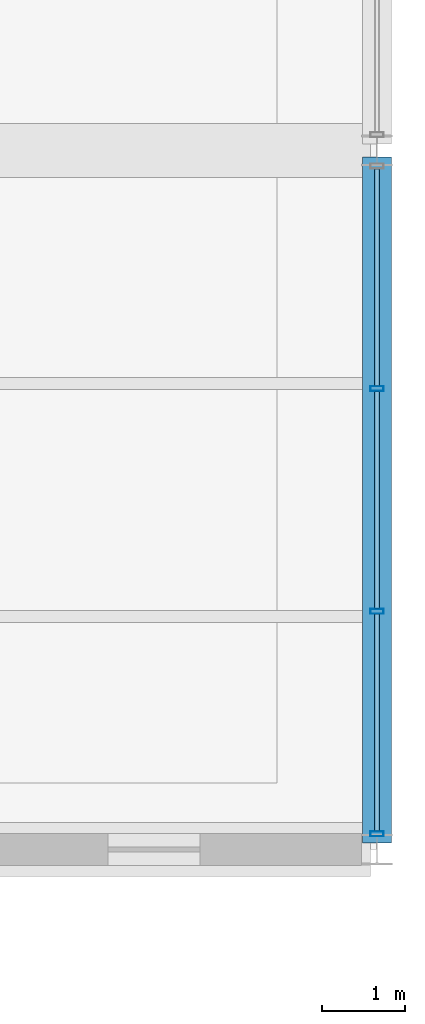
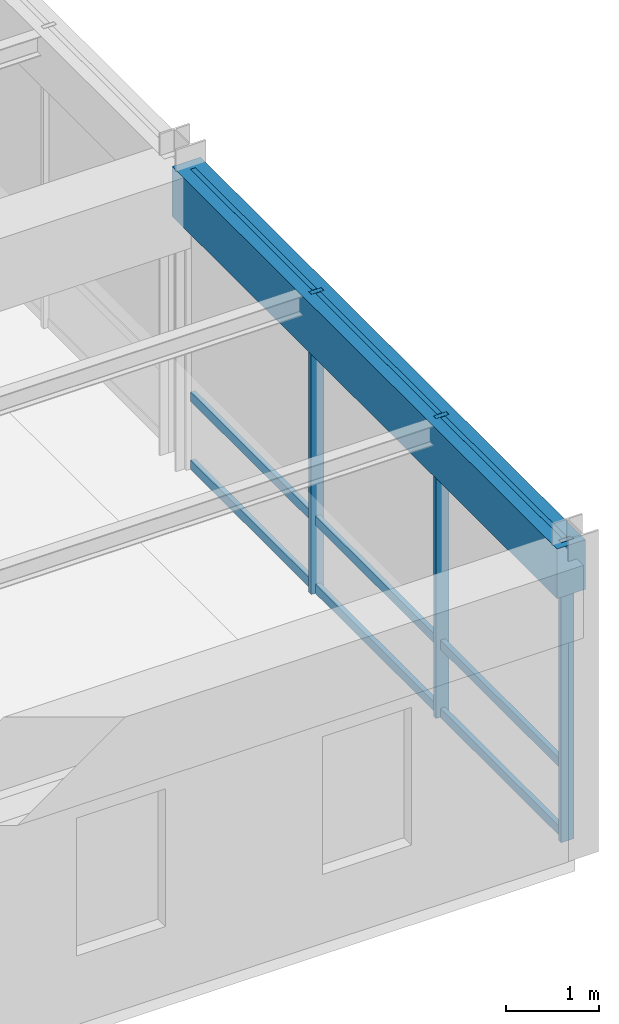
# One storey, part 78 of 138: 12 members, 1 beam, 1 element without a shape of its own.
"""IFC4 building model written with IfcOpenShell, lengths in metres."""

from ifc_helpers import new_model, si_unit, direction, frame, origin, origin_2d, place, context, subcontext, project, spatial, rectangle, hollow_rectangle, extrude, material, material_profile, profile_set, type_object, element, aggregate, save


model = new_model("IFC4")

# Units and contexts
model_context = context("Model", 3, precision=1e-05, world=origin(), true_north=direction((0.0, 1.0)))
body_context = subcontext(model_context, "Body", "Model", "MODEL_VIEW")
ifc_project = project(units=[si_unit("LENGTHUNIT", "METRE"), si_unit("AREAUNIT", "SQUARE_METRE"), si_unit("VOLUMEUNIT", "CUBIC_METRE"), si_unit("PLANEANGLEUNIT", "RADIAN"), si_unit("MASSUNIT", "GRAM", prefix="KILO"), si_unit("THERMODYNAMICTEMPERATUREUNIT", "KELVIN"), si_unit("POWERUNIT", "WATT")], contexts=[model_context])

# Site, building, storey
site_placement = place(None, origin())
site = spatial("IfcSite", under=ifc_project, at=site_placement, CompositionType="ELEMENT")
building_placement = place(site_placement, origin())
building = spatial("IfcBuilding", under=site, at=building_placement, Name="Darbajah Civic Hall", CompositionType="ELEMENT")
storey_placement = place(building_placement, frame((0.0, 0.0, 9.60009765625)))
storey = spatial("IfcBuildingStorey", under=building, at=storey_placement, Name="L02", CompositionType="ELEMENT", Elevation=9.60009765625)

# Curtain wall, members
ifc_material_1 = material(Name="Anodised Bronze Aluminium and Low-E Glazing", Category="aluminium")
curtain_wall_type = type_object("IfcCurtainWallType", Name="Unitised Curtain Wall CW-94 8000x3900", PredefinedType="USERDEFINED", material=ifc_material_1)
curtain_wall_placement = place(storey_placement, origin())
curtain_wall = element("IfcCurtainWall", 1, at=curtain_wall_placement, inside=storey, type_object=curtain_wall_type, Name="L02 unitised curtain wall CW-V3-L02-S3-B0", ObjectType="UNITISED CURTAIN WALL", PredefinedType="USERDEFINED")
ifc_material_2 = material(Name="Anodised Bronze Aluminium", Category="aluminium")
ifc_material_profile_1 = material_profile(ifc_material_2, hollow_rectangle(XDim=0.06005859375, YDim=0.159912109375, WallThickness=0.00341796875, at=origin_2d()), Name="ALU MULLION 60x160")
ifc_profile_set_1 = profile_set([ifc_material_profile_1], Name="Anodised Bronze Aluminium")
member_type_1 = type_object("IfcMemberType", Name="ALU MULLION 60x160", PredefinedType="MULLION", material=ifc_profile_set_1)
member_1_placement = place(storey_placement, frame((178.199951171875, 8.58837890625, 0.0), z_axis=(0.0, 0.0, 1.0), x_axis=(0.0, 1.0, 0.0)))
member_1 = element("IfcMember", 2, at=member_1_placement, type_object=member_type_1, Name="CW-V3-L02-S3-B0 mullion 1", PredefinedType="MULLION", context=body_context, shape_type="SweptSolid", body=[
    extrude(hollow_rectangle(XDim=0.06005859375, YDim=0.159912109375, WallThickness=0.00341796875, at=origin_2d()), origin(), (0.0, 0.0, 1.0), 3.919921875),
])
member_2_placement = place(storey_placement, frame((178.199951171875, 11.2626953125, 0.0), z_axis=(0.0, 0.0, 1.0), x_axis=(0.0, 1.0, 0.0)))
member_2 = element("IfcMember", 3, at=member_2_placement, type_object=member_type_1, Name="CW-V3-L02-S3-B0 mullion 2", PredefinedType="MULLION", context=body_context, shape_type="SweptSolid", body=[
    extrude(hollow_rectangle(XDim=0.06005859375, YDim=0.159912109375, WallThickness=0.00341796875, at=origin_2d()), origin(), (0.0, 0.0, 1.0), 3.919921875),
])
member_3_placement = place(storey_placement, frame((178.199951171875, 13.937255859375, 0.0), z_axis=(0.0, 0.0, 1.0), x_axis=(0.0, 1.0, 0.0)))
member_3 = element("IfcMember", 4, at=member_3_placement, type_object=member_type_1, Name="CW-V3-L02-S3-B0 mullion 3", PredefinedType="MULLION", context=body_context, shape_type="SweptSolid", body=[
    extrude(hollow_rectangle(XDim=0.06005859375, YDim=0.159912109375, WallThickness=0.00341796875, at=origin_2d()), origin(), (0.0, 0.0, 1.0), 3.919921875),
])
ifc_material_profile_2 = material_profile(ifc_material_2, hollow_rectangle(XDim=0.06005859375, YDim=0.1201171875, WallThickness=0.003173828125, at=origin_2d()), Name="ALU TRANSOM 60x120")
ifc_profile_set_2 = profile_set([ifc_material_profile_2], Name="Anodised Bronze Aluminium")
member_type_2 = type_object("IfcMemberType", Name="ALU TRANSOM 60x120", PredefinedType="USERDEFINED", material=ifc_profile_set_2)
member_4_placement = place(storey_placement, frame((178.199951171875, 8.623291015625, 0.059814453125), z_axis=(0.0, 1.0, 0.0), x_axis=(-1.0, 0.0, 0.0)))
member_4 = element("IfcMember", 5, at=member_4_placement, type_object=member_type_2, Name="CW-V3-L02-S3-B0 transom 1.1", ObjectType="TRANSOM", PredefinedType="USERDEFINED", context=body_context, shape_type="SweptSolid", body=[
    extrude(hollow_rectangle(XDim=0.06005859375, YDim=0.1201171875, WallThickness=0.003173828125, at=origin_2d()), origin(), (0.0, 0.0, 1.0), 2.6044921875),
])
member_5_placement = place(storey_placement, frame((178.199951171875, 8.623291015625, 0.949951171875), z_axis=(0.0, 1.0, 0.0), x_axis=(-1.0, 0.0, 0.0)))
member_5 = element("IfcMember", 6, at=member_5_placement, type_object=member_type_2, Name="CW-V3-L02-S3-B0 transom 1.2", ObjectType="TRANSOM", PredefinedType="USERDEFINED", context=body_context, shape_type="SweptSolid", body=[
    extrude(hollow_rectangle(XDim=0.06005859375, YDim=0.1201171875, WallThickness=0.003173828125, at=origin_2d()), origin(), (0.0, 0.0, 1.0), 2.6044921875),
])
member_6_placement = place(storey_placement, frame((178.199951171875, 8.623291015625, 3.85986328125), z_axis=(0.0, 1.0, 0.0), x_axis=(-1.0, 0.0, 0.0)))
member_6 = element("IfcMember", 7, at=member_6_placement, type_object=member_type_2, Name="CW-V3-L02-S3-B0 transom 1.3", ObjectType="TRANSOM", PredefinedType="USERDEFINED", context=body_context, shape_type="SweptSolid", body=[
    extrude(hollow_rectangle(XDim=0.06005859375, YDim=0.1201171875, WallThickness=0.003173828125, at=origin_2d()), origin(), (0.0, 0.0, 1.0), 2.6044921875),
])
member_7_placement = place(storey_placement, frame((178.199951171875, 11.2978515625, 0.059814453125), z_axis=(0.0, 1.0, 0.0), x_axis=(-1.0, 0.0, 0.0)))
member_7 = element("IfcMember", 8, at=member_7_placement, type_object=member_type_2, Name="CW-V3-L02-S3-B0 transom 2.1", ObjectType="TRANSOM", PredefinedType="USERDEFINED", context=body_context, shape_type="SweptSolid", body=[
    extrude(hollow_rectangle(XDim=0.06005859375, YDim=0.1201171875, WallThickness=0.003173828125, at=origin_2d()), origin(), (0.0, 0.0, 1.0), 2.604248046875),
])
member_8_placement = place(storey_placement, frame((178.199951171875, 11.2978515625, 0.949951171875), z_axis=(0.0, 1.0, 0.0), x_axis=(-1.0, 0.0, 0.0)))
member_8 = element("IfcMember", 9, at=member_8_placement, type_object=member_type_2, Name="CW-V3-L02-S3-B0 transom 2.2", ObjectType="TRANSOM", PredefinedType="USERDEFINED", context=body_context, shape_type="SweptSolid", body=[
    extrude(hollow_rectangle(XDim=0.06005859375, YDim=0.1201171875, WallThickness=0.003173828125, at=origin_2d()), origin(), (0.0, 0.0, 1.0), 2.604248046875),
])
member_9_placement = place(storey_placement, frame((178.199951171875, 11.2978515625, 3.85986328125), z_axis=(0.0, 1.0, 0.0), x_axis=(-1.0, 0.0, 0.0)))
member_9 = element("IfcMember", 10, at=member_9_placement, type_object=member_type_2, Name="CW-V3-L02-S3-B0 transom 2.3", ObjectType="TRANSOM", PredefinedType="USERDEFINED", context=body_context, shape_type="SweptSolid", body=[
    extrude(hollow_rectangle(XDim=0.06005859375, YDim=0.1201171875, WallThickness=0.003173828125, at=origin_2d()), origin(), (0.0, 0.0, 1.0), 2.604248046875),
])
member_10_placement = place(storey_placement, frame((178.199951171875, 13.97216796875, 0.059814453125), z_axis=(0.0, 1.0, 0.0), x_axis=(-1.0, 0.0, 0.0)))
member_10 = element("IfcMember", 11, at=member_10_placement, type_object=member_type_2, Name="CW-V3-L02-S3-B0 transom 3.1", ObjectType="TRANSOM", PredefinedType="USERDEFINED", context=body_context, shape_type="SweptSolid", body=[
    extrude(hollow_rectangle(XDim=0.06005859375, YDim=0.1201171875, WallThickness=0.003173828125, at=origin_2d()), origin(), (0.0, 0.0, 1.0), 2.6044921875),
])
member_11_placement = place(storey_placement, frame((178.199951171875, 13.97216796875, 0.949951171875), z_axis=(0.0, 1.0, 0.0), x_axis=(-1.0, 0.0, 0.0)))
member_11 = element("IfcMember", 12, at=member_11_placement, type_object=member_type_2, Name="CW-V3-L02-S3-B0 transom 3.2", ObjectType="TRANSOM", PredefinedType="USERDEFINED", context=body_context, shape_type="SweptSolid", body=[
    extrude(hollow_rectangle(XDim=0.06005859375, YDim=0.1201171875, WallThickness=0.003173828125, at=origin_2d()), origin(), (0.0, 0.0, 1.0), 2.6044921875),
])
member_12_placement = place(storey_placement, frame((178.199951171875, 13.97216796875, 3.85986328125), z_axis=(0.0, 1.0, 0.0), x_axis=(-1.0, 0.0, 0.0)))
member_12 = element("IfcMember", 13, at=member_12_placement, type_object=member_type_2, Name="CW-V3-L02-S3-B0 transom 3.3", ObjectType="TRANSOM", PredefinedType="USERDEFINED", context=body_context, shape_type="SweptSolid", body=[
    extrude(hollow_rectangle(XDim=0.06005859375, YDim=0.1201171875, WallThickness=0.003173828125, at=origin_2d()), origin(), (0.0, 0.0, 1.0), 2.6044921875),
])
aggregate(curtain_wall, [member_1, member_2, member_3, member_4, member_5, member_6, member_7, member_8, member_9, member_10, member_11, member_12])

# Beam
ifc_material_3 = material(Name="Concrete C45/55", Category="concrete")
ifc_material_profile_3 = material_profile(ifc_material_3, rectangle(XDim=0.35009765625, YDim=0.64990234375, at=origin_2d()), Name="RC SPANDREL 350x650")
ifc_profile_set_3 = profile_set([ifc_material_profile_3], Name="Concrete C45/55")
beam_type = type_object("IfcBeamType", Name="RC SPANDREL 350x650", PredefinedType="SPANDREL", material=ifc_profile_set_3)
beam_placement = place(storey_placement, frame((178.199951171875, 8.47998046875, 3.594970703125), z_axis=(0.0, 1.0, 0.0), x_axis=(-1.0, 0.0, 0.0)))
element("IfcBeam", 14, at=beam_placement, inside=storey, type_object=beam_type, Name="L02 beam SP-3565", PredefinedType="SPANDREL", context=body_context, shape_type="SweptSolid", body=[
    extrude(rectangle(XDim=0.35009765625, YDim=0.64990234375, at=origin_2d()), origin(), (0.0, 0.0, 1.0), 8.239990234375),
])

save(model, "model.ifc")
